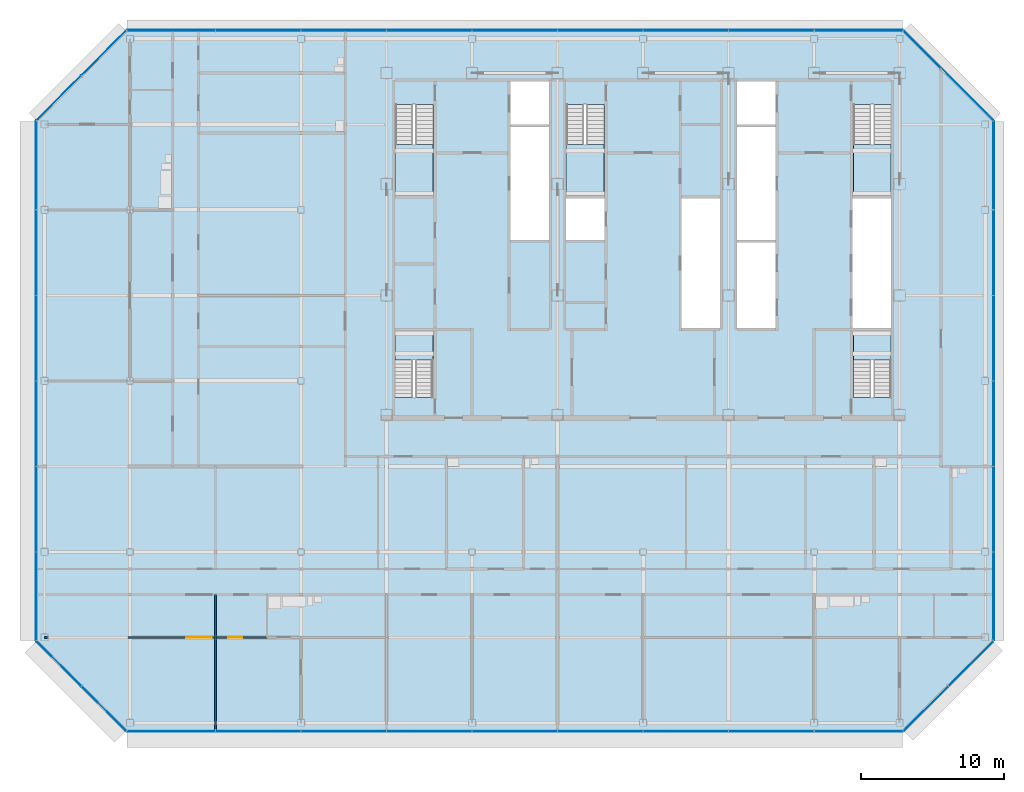
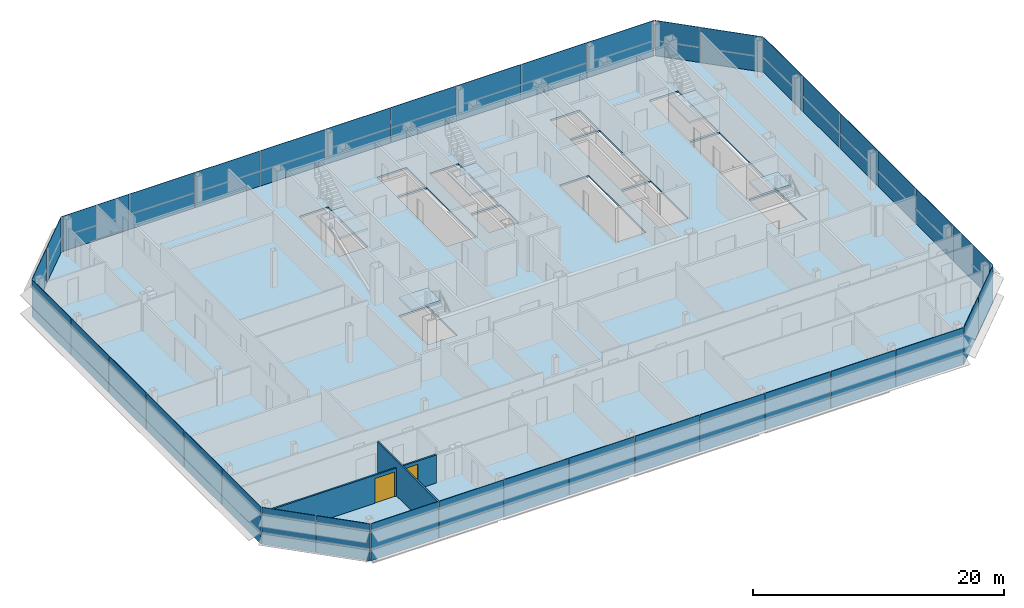
# One storey, part 20 of 27: 38 plates, 6 slabs, 2 doors, 2 walls, 2 openings, 13 elements without a shape of their own.
"""IFC4 building model written with IfcOpenShell, lengths in metres."""

from ifc_helpers import new_model, si_unit, direction, frame, frame_2d, origin, origin_2d, place, context, subcontext, project, spatial, polyline, rectangle, outline, extrude, material, layer, layer_set, type_object, element, fill, aggregate, save


model = new_model("IFC4")

# Units and contexts
model_context = context("Model", 3, precision=1e-05, world=origin(), true_north=direction((0.0, 1.0)))
body_context = subcontext(model_context, "Body", "Model", "MODEL_VIEW")
ifc_project = project(units=[si_unit("LENGTHUNIT", "METRE"), si_unit("AREAUNIT", "SQUARE_METRE"), si_unit("VOLUMEUNIT", "CUBIC_METRE"), si_unit("PLANEANGLEUNIT", "RADIAN"), si_unit("MASSUNIT", "GRAM", prefix="KILO")], contexts=[model_context])

# Site, building, storey
site_placement = place(None, origin())
site = spatial("IfcSite", under=ifc_project, at=site_placement, CompositionType="ELEMENT")
building_placement = place(site_placement, origin())
building = spatial("IfcBuilding", under=site, at=building_placement, Name="Sorahane Residences", CompositionType="ELEMENT")
storey_placement = place(building_placement, frame((0.0, 0.0, 312.39990234375)))
storey = spatial("IfcBuildingStorey", under=building, at=storey_placement, Name="L74", CompositionType="ELEMENT", Elevation=312.39990234375)

# Slab
ifc_material_1 = material(Name="Concrete C35", Category="concrete")
ifc_layer_1 = layer(ifc_material_1, 0.179931640625)
ifc_layer_set_1 = layer_set([ifc_layer_1], Name="Composite floor slab 180 mm Concrete C35")
slab_type_1 = type_object("IfcSlabType", Name="Composite floor slab 180 mm Concrete C35", PredefinedType="FLOOR", material=ifc_layer_set_1)
slab_1_placement = place(storey_placement, frame((0.0, 0.0, -0.179931640625)))
element("IfcSlab", 1, at=slab_1_placement, inside=storey, type_object=slab_type_1, Name="Slab L74", PredefinedType="FLOOR", context=body_context, shape_type="SweptSolid", body=[
    extrude(outline(polyline([(-12.24853515625, -0.60009765625), (-18.60009765625, 5.75146484375), (-18.60009765625, 42.24853515625), (-12.24853515625, 48.60009765625), (42.24853515625, 48.60009765625), (48.60009765625, 42.24853515625), (48.60009765625, 5.75146484375), (42.24853515625, -0.60009765625), (-12.24853515625, -0.60009765625)]), holes=[polyline([(38.699951171875, 27.699951171875), (41.39990234375, 27.699951171875), (41.39990234375, 36.800048828125), (38.699951171875, 36.800048828125), (38.699951171875, 27.699951171875)]), polyline([(30.60009765625, 27.699951171875), (33.300048828125, 27.699951171875), (33.300048828125, 33.699951171875), (30.60009765625, 33.699951171875), (30.60009765625, 27.699951171875)]), polyline([(30.60009765625, 42.0), (33.300048828125, 42.0), (33.300048828125, 45.0), (30.60009765625, 45.0), (30.60009765625, 42.0)]), polyline([(14.699951171875, 42.0), (17.39990234375, 42.0), (17.39990234375, 45.0), (14.699951171875, 45.0), (14.699951171875, 42.0)]), polyline([(6.60009765625, 43.39990234375), (6.60009765625, 37.0), (9.25, 37.0), (9.25, 43.39990234375), (6.60009765625, 43.39990234375)]), polyline([(38.75, 43.39990234375), (38.75, 37.0), (41.39990234375, 37.0), (41.39990234375, 43.39990234375), (38.75, 43.39990234375)]), polyline([(18.60009765625, 43.39990234375), (18.60009765625, 37.0), (21.25, 37.0), (21.25, 43.39990234375), (18.60009765625, 43.39990234375)]), polyline([(9.25, 22.85009765625), (9.25, 27.5), (6.60009765625, 27.5), (6.60009765625, 22.85009765625), (9.25, 22.85009765625)]), polyline([(41.39990234375, 22.85009765625), (41.39990234375, 27.5), (38.75, 27.5), (38.75, 22.85009765625), (41.39990234375, 22.85009765625)]), polyline([(14.699951171875, 33.89990234375), (17.39990234375, 33.89990234375), (17.39990234375, 41.800048828125), (14.699951171875, 41.800048828125), (14.699951171875, 33.89990234375)]), polyline([(30.60009765625, 33.89990234375), (33.300048828125, 33.89990234375), (33.300048828125, 41.800048828125), (30.60009765625, 41.800048828125), (30.60009765625, 33.89990234375)]), polyline([(18.60009765625, 33.89990234375), (21.300048828125, 33.89990234375), (21.300048828125, 36.800048828125), (18.60009765625, 36.800048828125), (18.60009765625, 33.89990234375)]), polyline([(26.699951171875, 27.699951171875), (29.39990234375, 27.699951171875), (29.39990234375, 36.800048828125), (26.699951171875, 36.800048828125), (26.699951171875, 27.699951171875)])]), origin(), (0.0, 0.0, 1.0), 0.179931640625),
])

# Curtain wall, plates
ifc_material_2 = material(Name="Dark low-e glass and black anodised aluminium", Category="aluminium")
curtain_wall_type_1 = type_object("IfcCurtainWallType", Name="Curtain wall CW-1 Typical unitised wall", PredefinedType="NOTDEFINED", material=ifc_material_2)
curtain_wall_1_placement = place(storey_placement, origin())
curtain_wall_1 = element("IfcCurtainWall", 2, at=curtain_wall_1_placement, inside=storey, type_object=curtain_wall_type_1, Name="CW-1 curtain wall L74 S1", PredefinedType="NOTDEFINED")
ifc_material_3 = material(Name="Dark low-e glass with black ceramic frit", Category="glass")
ifc_layer_2 = layer(ifc_material_3, 0.0400390625)
ifc_layer_set_2 = layer_set([ifc_layer_2], Name="Curtain wall glass panel dark low-e with black frit spandrel band")
plate_type = type_object("IfcPlateType", Name="Curtain wall glass panel dark low-e with black frit spandrel band", PredefinedType="CURTAIN_PANEL", material=ifc_layer_set_2)
plate_1_placement = place(storey_placement, frame((-9.11181640625, -0.60009765625, -0.179931640625), z_axis=(0.0, 0.0, 1.0), x_axis=(1.0, 0.0, 0.0)))
plate_1 = element("IfcPlate", 3, at=plate_1_placement, type_object=plate_type, Name="CW-1 glass panel L74 S1.1", PredefinedType="CURTAIN_PANEL", context=body_context, shape_type="SweptSolid", body=[
    extrude(rectangle(XDim=6.173583984375, YDim=0.0400390625, at=origin_2d()), origin(), (0.0, 0.0, 1.0), 3.60009765625),
])
plate_2_placement = place(storey_placement, frame((-3.0, -0.60009765625, -0.179931640625), z_axis=(0.0, 0.0, 1.0), x_axis=(1.0, 0.0, 0.0)))
plate_2 = element("IfcPlate", 4, at=plate_2_placement, type_object=plate_type, Name="CW-1 glass panel L74 S1.2", PredefinedType="CURTAIN_PANEL", context=body_context, shape_type="SweptSolid", body=[
    extrude(rectangle(XDim=5.949951171875, YDim=0.0400390625, at=origin_2d()), origin(), (0.0, 0.0, 1.0), 3.60009765625),
])
plate_3_placement = place(storey_placement, frame((3.0, -0.60009765625, -0.179931640625), z_axis=(0.0, 0.0, 1.0), x_axis=(1.0, 0.0, 0.0)))
plate_3 = element("IfcPlate", 5, at=plate_3_placement, type_object=plate_type, Name="CW-1 glass panel L74 S1.3", PredefinedType="CURTAIN_PANEL", context=body_context, shape_type="SweptSolid", body=[
    extrude(rectangle(XDim=5.949951171875, YDim=0.0400390625, at=origin_2d()), origin(), (0.0, 0.0, 1.0), 3.60009765625),
])
plate_4_placement = place(storey_placement, frame((9.0, -0.60009765625, -0.179931640625), z_axis=(0.0, 0.0, 1.0), x_axis=(1.0, 0.0, 0.0)))
plate_4 = element("IfcPlate", 6, at=plate_4_placement, type_object=plate_type, Name="CW-1 glass panel L74 S1.4", PredefinedType="CURTAIN_PANEL", context=body_context, shape_type="SweptSolid", body=[
    extrude(rectangle(XDim=5.949951171875, YDim=0.0400390625, at=origin_2d()), origin(), (0.0, 0.0, 1.0), 3.60009765625),
])
plate_5_placement = place(storey_placement, frame((15.0, -0.60009765625, -0.179931640625), z_axis=(0.0, 0.0, 1.0), x_axis=(1.0, 0.0, 0.0)))
plate_5 = element("IfcPlate", 7, at=plate_5_placement, type_object=plate_type, Name="CW-1 glass panel L74 S1.5", PredefinedType="CURTAIN_PANEL", context=body_context, shape_type="SweptSolid", body=[
    extrude(rectangle(XDim=5.949951171875, YDim=0.0400390625, at=origin_2d()), origin(), (0.0, 0.0, 1.0), 3.60009765625),
])
plate_6_placement = place(storey_placement, frame((21.0, -0.60009765625, -0.179931640625), z_axis=(0.0, 0.0, 1.0), x_axis=(1.0, 0.0, 0.0)))
plate_6 = element("IfcPlate", 8, at=plate_6_placement, type_object=plate_type, Name="CW-1 glass panel L74 S1.6", PredefinedType="CURTAIN_PANEL", context=body_context, shape_type="SweptSolid", body=[
    extrude(rectangle(XDim=5.949951171875, YDim=0.0400390625, at=origin_2d()), origin(), (0.0, 0.0, 1.0), 3.60009765625),
])
plate_7_placement = place(storey_placement, frame((27.0, -0.60009765625, -0.179931640625), z_axis=(0.0, 0.0, 1.0), x_axis=(1.0, 0.0, 0.0)))
plate_7 = element("IfcPlate", 9, at=plate_7_placement, type_object=plate_type, Name="CW-1 glass panel L74 S1.7", PredefinedType="CURTAIN_PANEL", context=body_context, shape_type="SweptSolid", body=[
    extrude(rectangle(XDim=5.949951171875, YDim=0.0400390625, at=origin_2d()), origin(), (0.0, 0.0, 1.0), 3.60009765625),
])
plate_8_placement = place(storey_placement, frame((33.0, -0.60009765625, -0.179931640625), z_axis=(0.0, 0.0, 1.0), x_axis=(1.0, 0.0, 0.0)))
plate_8 = element("IfcPlate", 10, at=plate_8_placement, type_object=plate_type, Name="CW-1 glass panel L74 S1.8", PredefinedType="CURTAIN_PANEL", context=body_context, shape_type="SweptSolid", body=[
    extrude(rectangle(XDim=5.949951171875, YDim=0.0400390625, at=origin_2d()), origin(), (0.0, 0.0, 1.0), 3.60009765625),
])
plate_9_placement = place(storey_placement, frame((39.11181640625, -0.60009765625, -0.179931640625), z_axis=(0.0, 0.0, 1.0), x_axis=(1.0, 0.0, 0.0)))
plate_9 = element("IfcPlate", 11, at=plate_9_placement, type_object=plate_type, Name="CW-1 glass panel L74 S1.9", PredefinedType="CURTAIN_PANEL", context=body_context, shape_type="SweptSolid", body=[
    extrude(rectangle(XDim=6.173583984375, YDim=0.0400390625, at=origin_2d()), origin(), (0.0, 0.0, 1.0), 3.60009765625),
])
aggregate(curtain_wall_1, [plate_1, plate_2, plate_3, plate_4, plate_5, plate_6, plate_7, plate_8, plate_9])

ifc_material_4 = material(Name="Dark low-e glass and black anodised aluminium", Category="aluminium")
curtain_wall_type_2 = type_object("IfcCurtainWallType", Name="Curtain wall CW-2 Chamfer unitised wall", PredefinedType="NOTDEFINED", material=ifc_material_4)
curtain_wall_2_placement = place(storey_placement, origin())
curtain_wall_2 = element("IfcCurtainWall", 12, at=curtain_wall_2_placement, inside=storey, type_object=curtain_wall_type_2, Name="CW-2 curtain wall L74 SE1", PredefinedType="NOTDEFINED")
plate_10_placement = place(storey_placement, frame((43.84521484375, 0.996826171875, -0.179931640625), z_axis=(0.0, 0.0, 1.0), x_axis=(0.707106781187, 0.707106781187, 0.0)))
plate_10 = element("IfcPlate", 13, at=plate_10_placement, type_object=plate_type, Name="CW-2 glass panel L74 SE1.1", PredefinedType="CURTAIN_PANEL", context=body_context, shape_type="SweptSolid", body=[
    extrude(rectangle(XDim=4.416259765625, YDim=0.0400390625, at=origin_2d()), origin(), (0.0, 0.0, 1.0), 3.60009765625),
])
plate_11_placement = place(storey_placement, frame((47.003173828125, 4.15478515625, -0.179931640625), z_axis=(0.0, 0.0, 1.0), x_axis=(0.707106781187, 0.707106781187, 0.0)))
plate_11 = element("IfcPlate", 14, at=plate_11_placement, type_object=plate_type, Name="CW-2 glass panel L74 SE1.2", PredefinedType="CURTAIN_PANEL", context=body_context, shape_type="SweptSolid", body=[
    extrude(rectangle(XDim=4.416259765625, YDim=0.0400390625, at=origin_2d()), origin(), (0.0, 0.0, 1.0), 3.60009765625),
])
aggregate(curtain_wall_2, [plate_10, plate_11])

curtain_wall_3_placement = place(storey_placement, origin())
curtain_wall_3 = element("IfcCurtainWall", 15, at=curtain_wall_3_placement, inside=storey, type_object=curtain_wall_type_1, Name="CW-1 curtain wall L74 E1", PredefinedType="NOTDEFINED")
plate_12_placement = place(storey_placement, frame((48.60009765625, 8.88818359375, -0.179931640625), z_axis=(0.0, 0.0, 1.0), x_axis=(0.0, 1.0, 0.0)))
plate_12 = element("IfcPlate", 16, at=plate_12_placement, type_object=plate_type, Name="CW-1 glass panel L74 E1.1", PredefinedType="CURTAIN_PANEL", context=body_context, shape_type="SweptSolid", body=[
    extrude(rectangle(XDim=6.173583984375, YDim=0.0400390625, at=origin_2d()), origin(), (0.0, 0.0, 1.0), 3.60009765625),
])
plate_13_placement = place(storey_placement, frame((48.60009765625, 15.0, -0.179931640625), z_axis=(0.0, 0.0, 1.0), x_axis=(0.0, 1.0, 0.0)))
plate_13 = element("IfcPlate", 17, at=plate_13_placement, type_object=plate_type, Name="CW-1 glass panel L74 E1.2", PredefinedType="CURTAIN_PANEL", context=body_context, shape_type="SweptSolid", body=[
    extrude(rectangle(XDim=5.949951171875, YDim=0.0400390625, at=origin_2d()), origin(), (0.0, 0.0, 1.0), 3.60009765625),
])
plate_14_placement = place(storey_placement, frame((48.60009765625, 21.0, -0.179931640625), z_axis=(0.0, 0.0, 1.0), x_axis=(0.0, 1.0, 0.0)))
plate_14 = element("IfcPlate", 18, at=plate_14_placement, type_object=plate_type, Name="CW-1 glass panel L74 E1.3", PredefinedType="CURTAIN_PANEL", context=body_context, shape_type="SweptSolid", body=[
    extrude(rectangle(XDim=5.949951171875, YDim=0.0400390625, at=origin_2d()), origin(), (0.0, 0.0, 1.0), 3.60009765625),
])
plate_15_placement = place(storey_placement, frame((48.60009765625, 27.0, -0.179931640625), z_axis=(0.0, 0.0, 1.0), x_axis=(0.0, 1.0, 0.0)))
plate_15 = element("IfcPlate", 19, at=plate_15_placement, type_object=plate_type, Name="CW-1 glass panel L74 E1.4", PredefinedType="CURTAIN_PANEL", context=body_context, shape_type="SweptSolid", body=[
    extrude(rectangle(XDim=5.949951171875, YDim=0.0400390625, at=origin_2d()), origin(), (0.0, 0.0, 1.0), 3.60009765625),
])
plate_16_placement = place(storey_placement, frame((48.60009765625, 33.0, -0.179931640625), z_axis=(0.0, 0.0, 1.0), x_axis=(0.0, 1.0, 0.0)))
plate_16 = element("IfcPlate", 20, at=plate_16_placement, type_object=plate_type, Name="CW-1 glass panel L74 E1.5", PredefinedType="CURTAIN_PANEL", context=body_context, shape_type="SweptSolid", body=[
    extrude(rectangle(XDim=5.949951171875, YDim=0.0400390625, at=origin_2d()), origin(), (0.0, 0.0, 1.0), 3.60009765625),
])
plate_17_placement = place(storey_placement, frame((48.60009765625, 39.11181640625, -0.179931640625), z_axis=(0.0, 0.0, 1.0), x_axis=(0.0, 1.0, 0.0)))
plate_17 = element("IfcPlate", 21, at=plate_17_placement, type_object=plate_type, Name="CW-1 glass panel L74 E1.6", PredefinedType="CURTAIN_PANEL", context=body_context, shape_type="SweptSolid", body=[
    extrude(rectangle(XDim=6.173583984375, YDim=0.0400390625, at=origin_2d()), origin(), (0.0, 0.0, 1.0), 3.60009765625),
])
aggregate(curtain_wall_3, [plate_12, plate_13, plate_14, plate_15, plate_16, plate_17])

curtain_wall_4_placement = place(storey_placement, origin())
curtain_wall_4 = element("IfcCurtainWall", 22, at=curtain_wall_4_placement, inside=storey, type_object=curtain_wall_type_2, Name="CW-2 curtain wall L74 NE1", PredefinedType="NOTDEFINED")
plate_18_placement = place(storey_placement, frame((46.740966796875, 44.107421875, -0.179931640625), z_axis=(0.0, 0.0, 1.0), x_axis=(-0.707106781187, 0.707106781187, 0.0)))
plate_18 = element("IfcPlate", 23, at=plate_18_placement, type_object=plate_type, Name="CW-2 glass panel L74 NE1.1", PredefinedType="CURTAIN_PANEL", context=body_context, shape_type="SweptSolid", body=[
    extrude(rectangle(XDim=5.157958984375, YDim=0.0400390625, at=origin_2d()), origin(), (0.0, 0.0, 1.0), 3.60009765625),
])
plate_19_placement = place(storey_placement, frame((43.5830078125, 47.265625, -0.179931640625), z_axis=(0.0, 0.0, 1.0), x_axis=(-0.707106781187, 0.707106781187, 0.0)))
plate_19 = element("IfcPlate", 24, at=plate_19_placement, type_object=plate_type, Name="CW-2 glass panel L74 NE1.2", PredefinedType="CURTAIN_PANEL", context=body_context, shape_type="SweptSolid", body=[
    extrude(rectangle(XDim=3.67431640625, YDim=0.0400390625, at=origin_2d()), origin(), (0.0, 0.0, 1.0), 3.60009765625),
])
aggregate(curtain_wall_4, [plate_18, plate_19])

curtain_wall_5_placement = place(storey_placement, origin())
curtain_wall_5 = element("IfcCurtainWall", 25, at=curtain_wall_5_placement, inside=storey, type_object=curtain_wall_type_1, Name="CW-1 curtain wall L74 N1", PredefinedType="NOTDEFINED")
plate_20_placement = place(storey_placement, frame((39.11181640625, 48.60009765625, -0.179931640625), z_axis=(0.0, 0.0, 1.0), x_axis=(-1.0, 0.0, 0.0)))
plate_20 = element("IfcPlate", 26, at=plate_20_placement, type_object=plate_type, Name="CW-1 glass panel L74 N1.1", PredefinedType="CURTAIN_PANEL", context=body_context, shape_type="SweptSolid", body=[
    extrude(rectangle(XDim=6.173583984375, YDim=0.0400390625, at=origin_2d()), origin(), (0.0, 0.0, 1.0), 3.60009765625),
])
plate_21_placement = place(storey_placement, frame((33.0, 48.60009765625, -0.179931640625), z_axis=(0.0, 0.0, 1.0), x_axis=(-1.0, 0.0, 0.0)))
plate_21 = element("IfcPlate", 27, at=plate_21_placement, type_object=plate_type, Name="CW-1 glass panel L74 N1.2", PredefinedType="CURTAIN_PANEL", context=body_context, shape_type="SweptSolid", body=[
    extrude(rectangle(XDim=5.949951171875, YDim=0.0400390625, at=origin_2d()), origin(), (0.0, 0.0, 1.0), 3.60009765625),
])
plate_22_placement = place(storey_placement, frame((27.0, 48.60009765625, -0.179931640625), z_axis=(0.0, 0.0, 1.0), x_axis=(-1.0, 0.0, 0.0)))
plate_22 = element("IfcPlate", 28, at=plate_22_placement, type_object=plate_type, Name="CW-1 glass panel L74 N1.3", PredefinedType="CURTAIN_PANEL", context=body_context, shape_type="SweptSolid", body=[
    extrude(rectangle(XDim=5.949951171875, YDim=0.0400390625, at=origin_2d()), origin(), (0.0, 0.0, 1.0), 3.60009765625),
])
plate_23_placement = place(storey_placement, frame((21.0, 48.60009765625, -0.179931640625), z_axis=(0.0, 0.0, 1.0), x_axis=(-1.0, 0.0, 0.0)))
plate_23 = element("IfcPlate", 29, at=plate_23_placement, type_object=plate_type, Name="CW-1 glass panel L74 N1.4", PredefinedType="CURTAIN_PANEL", context=body_context, shape_type="SweptSolid", body=[
    extrude(rectangle(XDim=5.949951171875, YDim=0.0400390625, at=origin_2d()), origin(), (0.0, 0.0, 1.0), 3.60009765625),
])
plate_24_placement = place(storey_placement, frame((15.0, 48.60009765625, -0.179931640625), z_axis=(0.0, 0.0, 1.0), x_axis=(-1.0, 0.0, 0.0)))
plate_24 = element("IfcPlate", 30, at=plate_24_placement, type_object=plate_type, Name="CW-1 glass panel L74 N1.5", PredefinedType="CURTAIN_PANEL", context=body_context, shape_type="SweptSolid", body=[
    extrude(rectangle(XDim=5.949951171875, YDim=0.0400390625, at=origin_2d()), origin(), (0.0, 0.0, 1.0), 3.60009765625),
])
plate_25_placement = place(storey_placement, frame((9.0, 48.60009765625, -0.179931640625), z_axis=(0.0, 0.0, 1.0), x_axis=(-1.0, 0.0, 0.0)))
plate_25 = element("IfcPlate", 31, at=plate_25_placement, type_object=plate_type, Name="CW-1 glass panel L74 N1.6", PredefinedType="CURTAIN_PANEL", context=body_context, shape_type="SweptSolid", body=[
    extrude(rectangle(XDim=5.949951171875, YDim=0.0400390625, at=origin_2d()), origin(), (0.0, 0.0, 1.0), 3.60009765625),
])
plate_26_placement = place(storey_placement, frame((3.0, 48.60009765625, -0.179931640625), z_axis=(0.0, 0.0, 1.0), x_axis=(-1.0, 0.0, 0.0)))
plate_26 = element("IfcPlate", 32, at=plate_26_placement, type_object=plate_type, Name="CW-1 glass panel L74 N1.7", PredefinedType="CURTAIN_PANEL", context=body_context, shape_type="SweptSolid", body=[
    extrude(rectangle(XDim=5.949951171875, YDim=0.0400390625, at=origin_2d()), origin(), (0.0, 0.0, 1.0), 3.60009765625),
])
plate_27_placement = place(storey_placement, frame((-3.0, 48.60009765625, -0.179931640625), z_axis=(0.0, 0.0, 1.0), x_axis=(-1.0, 0.0, 0.0)))
plate_27 = element("IfcPlate", 33, at=plate_27_placement, type_object=plate_type, Name="CW-1 glass panel L74 N1.8", PredefinedType="CURTAIN_PANEL", context=body_context, shape_type="SweptSolid", body=[
    extrude(rectangle(XDim=5.949951171875, YDim=0.0400390625, at=origin_2d()), origin(), (0.0, 0.0, 1.0), 3.60009765625),
])
plate_28_placement = place(storey_placement, frame((-9.11181640625, 48.60009765625, -0.179931640625), z_axis=(0.0, 0.0, 1.0), x_axis=(-1.0, 0.0, 0.0)))
plate_28 = element("IfcPlate", 34, at=plate_28_placement, type_object=plate_type, Name="CW-1 glass panel L74 N1.9", PredefinedType="CURTAIN_PANEL", context=body_context, shape_type="SweptSolid", body=[
    extrude(rectangle(XDim=6.173583984375, YDim=0.0400390625, at=origin_2d()), origin(), (0.0, 0.0, 1.0), 3.60009765625),
])
aggregate(curtain_wall_5, [plate_20, plate_21, plate_22, plate_23, plate_24, plate_25, plate_26, plate_27, plate_28])

curtain_wall_6_placement = place(storey_placement, origin())
curtain_wall_6 = element("IfcCurtainWall", 35, at=curtain_wall_6_placement, inside=storey, type_object=curtain_wall_type_2, Name="CW-2 curtain wall L74 NW1", PredefinedType="NOTDEFINED")
plate_29_placement = place(storey_placement, frame((-13.84521484375, 47.003173828125, -0.179931640625), z_axis=(0.0, 0.0, 1.0), x_axis=(-0.707106781187, -0.707106781187, 0.0)))
plate_29 = element("IfcPlate", 36, at=plate_29_placement, type_object=plate_type, Name="CW-2 glass panel L74 NW1.1", PredefinedType="CURTAIN_PANEL", context=body_context, shape_type="SweptSolid", body=[
    extrude(rectangle(XDim=4.416259765625, YDim=0.0400390625, at=origin_2d()), origin(), (0.0, 0.0, 1.0), 3.60009765625),
])
plate_30_placement = place(storey_placement, frame((-17.003173828125, 43.84521484375, -0.179931640625), z_axis=(0.0, 0.0, 1.0), x_axis=(-0.707106781187, -0.707106781187, 0.0)))
plate_30 = element("IfcPlate", 37, at=plate_30_placement, type_object=plate_type, Name="CW-2 glass panel L74 NW1.2", PredefinedType="CURTAIN_PANEL", context=body_context, shape_type="SweptSolid", body=[
    extrude(rectangle(XDim=4.416259765625, YDim=0.0400390625, at=origin_2d()), origin(), (0.0, 0.0, 1.0), 3.60009765625),
])
aggregate(curtain_wall_6, [plate_29, plate_30])

curtain_wall_7_placement = place(storey_placement, origin())
curtain_wall_7 = element("IfcCurtainWall", 38, at=curtain_wall_7_placement, inside=storey, type_object=curtain_wall_type_1, Name="CW-1 curtain wall L74 W1", PredefinedType="NOTDEFINED")
plate_31_placement = place(storey_placement, frame((-18.60009765625, 39.11181640625, -0.179931640625), z_axis=(0.0, 0.0, 1.0), x_axis=(0.0, -1.0, 0.0)))
plate_31 = element("IfcPlate", 39, at=plate_31_placement, type_object=plate_type, Name="CW-1 glass panel L74 W1.1", PredefinedType="CURTAIN_PANEL", context=body_context, shape_type="SweptSolid", body=[
    extrude(rectangle(XDim=6.173583984375, YDim=0.0400390625, at=origin_2d()), origin(), (0.0, 0.0, 1.0), 3.60009765625),
])
plate_32_placement = place(storey_placement, frame((-18.60009765625, 33.0, -0.179931640625), z_axis=(0.0, 0.0, 1.0), x_axis=(0.0, -1.0, 0.0)))
plate_32 = element("IfcPlate", 40, at=plate_32_placement, type_object=plate_type, Name="CW-1 glass panel L74 W1.2", PredefinedType="CURTAIN_PANEL", context=body_context, shape_type="SweptSolid", body=[
    extrude(rectangle(XDim=5.949951171875, YDim=0.0400390625, at=origin_2d()), origin(), (0.0, 0.0, 1.0), 3.60009765625),
])
plate_33_placement = place(storey_placement, frame((-18.60009765625, 27.0, -0.179931640625), z_axis=(0.0, 0.0, 1.0), x_axis=(0.0, -1.0, 0.0)))
plate_33 = element("IfcPlate", 41, at=plate_33_placement, type_object=plate_type, Name="CW-1 glass panel L74 W1.3", PredefinedType="CURTAIN_PANEL", context=body_context, shape_type="SweptSolid", body=[
    extrude(rectangle(XDim=5.949951171875, YDim=0.0400390625, at=origin_2d()), origin(), (0.0, 0.0, 1.0), 3.60009765625),
])
plate_34_placement = place(storey_placement, frame((-18.60009765625, 21.0, -0.179931640625), z_axis=(0.0, 0.0, 1.0), x_axis=(0.0, -1.0, 0.0)))
plate_34 = element("IfcPlate", 42, at=plate_34_placement, type_object=plate_type, Name="CW-1 glass panel L74 W1.4", PredefinedType="CURTAIN_PANEL", context=body_context, shape_type="SweptSolid", body=[
    extrude(rectangle(XDim=5.949951171875, YDim=0.0400390625, at=origin_2d()), origin(), (0.0, 0.0, 1.0), 3.60009765625),
])
plate_35_placement = place(storey_placement, frame((-18.60009765625, 15.0, -0.179931640625), z_axis=(0.0, 0.0, 1.0), x_axis=(0.0, -1.0, 0.0)))
plate_35 = element("IfcPlate", 43, at=plate_35_placement, type_object=plate_type, Name="CW-1 glass panel L74 W1.5", PredefinedType="CURTAIN_PANEL", context=body_context, shape_type="SweptSolid", body=[
    extrude(rectangle(XDim=5.949951171875, YDim=0.0400390625, at=origin_2d()), origin(), (0.0, 0.0, 1.0), 3.60009765625),
])
plate_36_placement = place(storey_placement, frame((-18.60009765625, 8.88818359375, -0.179931640625), z_axis=(0.0, 0.0, 1.0), x_axis=(0.0, -1.0, 0.0)))
plate_36 = element("IfcPlate", 44, at=plate_36_placement, type_object=plate_type, Name="CW-1 glass panel L74 W1.6", PredefinedType="CURTAIN_PANEL", context=body_context, shape_type="SweptSolid", body=[
    extrude(rectangle(XDim=6.173583984375, YDim=0.0400390625, at=origin_2d()), origin(), (0.0, 0.0, 1.0), 3.60009765625),
])
aggregate(curtain_wall_7, [plate_31, plate_32, plate_33, plate_34, plate_35, plate_36])

curtain_wall_8_placement = place(storey_placement, origin())
curtain_wall_8 = element("IfcCurtainWall", 45, at=curtain_wall_8_placement, inside=storey, type_object=curtain_wall_type_2, Name="CW-2 curtain wall L74 SW1", PredefinedType="NOTDEFINED")
plate_37_placement = place(storey_placement, frame((-17.003173828125, 4.15478515625, -0.179931640625), z_axis=(0.0, 0.0, 1.0), x_axis=(0.707106781187, -0.707106781187, 0.0)))
plate_37 = element("IfcPlate", 46, at=plate_37_placement, type_object=plate_type, Name="CW-2 glass panel L74 SW1.1", PredefinedType="CURTAIN_PANEL", context=body_context, shape_type="SweptSolid", body=[
    extrude(rectangle(XDim=4.416259765625, YDim=0.0400390625, at=origin_2d()), origin(), (0.0, 0.0, 1.0), 3.60009765625),
])
plate_38_placement = place(storey_placement, frame((-13.84521484375, 0.996826171875, -0.179931640625), z_axis=(0.0, 0.0, 1.0), x_axis=(0.707106781187, -0.707106781187, 0.0)))
plate_38 = element("IfcPlate", 47, at=plate_38_placement, type_object=plate_type, Name="CW-2 glass panel L74 SW1.2", PredefinedType="CURTAIN_PANEL", context=body_context, shape_type="SweptSolid", body=[
    extrude(rectangle(XDim=4.416259765625, YDim=0.0400390625, at=origin_2d()), origin(), (0.0, 0.0, 1.0), 3.60009765625),
])
aggregate(curtain_wall_8, [plate_37, plate_38])

# Stair, slab
ifc_material_5 = material(Name="Concrete C40", Category="concrete")
stair_type = type_object("IfcStairType", Name="Dog-leg stair 1250 Concrete C40", PredefinedType="HALF_TURN_STAIR", material=ifc_material_5)
stair_1_placement = place(storey_placement, origin())
stair_1 = element("IfcStair", 48, at=stair_1_placement, inside=storey, type_object=stair_type, Name="L74 Stair S1", PredefinedType="HALF_TURN_STAIR")
ifc_material_6 = material(Name="Concrete C40", Category="concrete")
ifc_layer_3 = layer(ifc_material_6, 0.199951171875)
ifc_layer_set_3 = layer_set([ifc_layer_3], Name="Stair landing 200 Concrete C40")
slab_type_2 = type_object("IfcSlabType", Name="Stair landing 200 Concrete C40", PredefinedType="LANDING", material=ifc_layer_set_3)
slab_2_placement = place(storey_placement, frame((0.0, 0.0, 1.60009765625)))
slab_2 = element("IfcSlab", 49, at=slab_2_placement, type_object=slab_type_2, Name="S1 landing 1", PredefinedType="LANDING", context=body_context, shape_type="SweptSolid", body=[
    extrude(outline(polyline([(6.60009765625, 40.60009765625), (6.60009765625, 37.0), (9.25, 37.0), (9.25, 40.60009765625), (6.60009765625, 40.60009765625)])), origin(), (0.0, 0.0, 1.0), 0.199951171875),
])
aggregate(stair_1, [slab_2])

stair_2_placement = place(storey_placement, origin())
stair_2 = element("IfcStair", 50, at=stair_2_placement, inside=storey, type_object=stair_type, Name="L74 Stair S2", PredefinedType="HALF_TURN_STAIR")
slab_3_placement = place(storey_placement, frame((0.0, 0.0, 1.60009765625)))
slab_3 = element("IfcSlab", 51, at=slab_3_placement, type_object=slab_type_2, Name="S2 landing 1", PredefinedType="LANDING", context=body_context, shape_type="SweptSolid", body=[
    extrude(outline(polyline([(38.75, 40.60009765625), (38.75, 37.0), (41.39990234375, 37.0), (41.39990234375, 40.60009765625), (38.75, 40.60009765625)])), origin(), (0.0, 0.0, 1.0), 0.199951171875),
])
aggregate(stair_2, [slab_3])

stair_3_placement = place(storey_placement, origin())
stair_3 = element("IfcStair", 52, at=stair_3_placement, inside=storey, type_object=stair_type, Name="L74 Stair S3", PredefinedType="HALF_TURN_STAIR")
slab_4_placement = place(storey_placement, frame((0.0, 0.0, 1.60009765625)))
slab_4 = element("IfcSlab", 53, at=slab_4_placement, type_object=slab_type_2, Name="S3 landing 1", PredefinedType="LANDING", context=body_context, shape_type="SweptSolid", body=[
    extrude(outline(polyline([(18.60009765625, 40.60009765625), (18.60009765625, 37.0), (21.25, 37.0), (21.25, 40.60009765625), (18.60009765625, 40.60009765625)])), origin(), (0.0, 0.0, 1.0), 0.199951171875),
])
aggregate(stair_3, [slab_4])

stair_4_placement = place(storey_placement, origin())
stair_4 = element("IfcStair", 54, at=stair_4_placement, inside=storey, type_object=stair_type, Name="L74 Stair S4", PredefinedType="HALF_TURN_STAIR")
slab_5_placement = place(storey_placement, frame((0.0, 0.0, 1.60009765625)))
slab_5 = element("IfcSlab", 55, at=slab_5_placement, type_object=slab_type_2, Name="S4 landing 1", PredefinedType="LANDING", context=body_context, shape_type="SweptSolid", body=[
    extrude(outline(polyline([(9.25, 25.449951171875), (9.25, 27.5), (6.60009765625, 27.5), (6.60009765625, 25.449951171875), (9.25, 25.449951171875)])), origin(), (0.0, 0.0, 1.0), 0.199951171875),
])
aggregate(stair_4, [slab_5])

stair_5_placement = place(storey_placement, origin())
stair_5 = element("IfcStair", 56, at=stair_5_placement, inside=storey, type_object=stair_type, Name="L74 Stair S5", PredefinedType="HALF_TURN_STAIR")
slab_6_placement = place(storey_placement, frame((0.0, 0.0, 1.60009765625)))
slab_6 = element("IfcSlab", 57, at=slab_6_placement, type_object=slab_type_2, Name="S5 landing 1", PredefinedType="LANDING", context=body_context, shape_type="SweptSolid", body=[
    extrude(outline(polyline([(41.39990234375, 25.449951171875), (41.39990234375, 27.5), (38.75, 27.5), (38.75, 25.449951171875), (41.39990234375, 25.449951171875)])), origin(), (0.0, 0.0, 1.0), 0.199951171875),
])
aggregate(stair_5, [slab_6])

# Wall
ifc_material_7 = material(Name="Gypsum board partition on steel studs", Category="steel")
ifc_layer_4 = layer(ifc_material_7, 0.14990234375)
ifc_layer_set_4 = layer_set([ifc_layer_4], Name="Partition 150 EI 90")
wall_type = type_object("IfcWallType", Name="Partition 150 EI 90", PredefinedType="PARTITIONING", material=ifc_layer_set_4)
wall_1_placement = place(storey_placement, frame((-6.0, -0.60009765625, 0.0), z_axis=(0.0, 0.0, 1.0), x_axis=(0.0, 1.0, 0.0)))
element("IfcWall", 58, at=wall_1_placement, inside=storey, type_object=wall_type, Name="L74 partition", PredefinedType="PARTITIONING", context=body_context, shape_type="SweptSolid", body=[
    extrude(rectangle(XDim=9.60009765625, YDim=0.14990234375, at=frame_2d((4.800048828125, 0.0))), origin(), (0.0, 0.0, 1.0), 3.420166015625),
])

# Wall, openings, doors
wall_2_placement = place(storey_placement, frame((-18.0, 6.0, 0.0), z_axis=(0.0, 0.0, 1.0), x_axis=(1.0, 0.0, 0.0)))
wall_2 = element("IfcWall", 59, at=wall_2_placement, inside=storey, type_object=wall_type, Name="L74 partition", PredefinedType="PARTITIONING", context=body_context, shape_type="SweptSolid", body=[
    extrude(rectangle(XDim=15.60009765625, YDim=0.14990234375, at=frame_2d((7.800048828125, 0.0))), origin(), (0.0, 0.0, 1.0), 2.72021484375),
])
opening_1_placement = place(wall_2_placement, frame((9.949951171875, 0.0, 0.0)))
opening_1 = element("IfcOpeningElement", 60, at=opening_1_placement, cuts=wall_2, Name="Opening L74-10", PredefinedType="OPENING", context=body_context, shape_type="SweptSolid", body=[
    extrude(rectangle(XDim=1.800048828125, YDim=2.39990234375, at=frame_2d((0.89990234375, 1.199951171875))), frame((0.0, 0.0849609375, 0.0), z_axis=(0.0, -1.0, 0.0), x_axis=(1.0, 0.0, 0.0)), (0.0, 0.0, 1.0), 0.169921875),
])
opening_2_placement = place(wall_2_placement, frame((12.8798828125, 0.0, 0.0)))
opening_2 = element("IfcOpeningElement", 61, at=opening_2_placement, cuts=wall_2, Name="Opening L74-11", PredefinedType="OPENING", context=body_context, shape_type="SweptSolid", body=[
    extrude(rectangle(XDim=1.0, YDim=2.39990234375, at=frame_2d((0.5, 1.199951171875))), frame((0.0, 0.0849609375, 0.0), z_axis=(0.0, -1.0, 0.0), x_axis=(1.0, 0.0, 0.0)), (0.0, 0.0, 1.0), 0.169921875),
])
ifc_material_8 = material(Name="Timber veneered fire door", Category="wood")
door_type_1 = type_object("IfcDoorType", Name="Double door 1800x2400 FD30", OperationType="NOTDEFINED", PredefinedType="DOOR", material=ifc_material_8)
door_1_placement = place(opening_1_placement, frame((1.800048828125, 0.0, 0.0), z_axis=(0.0, 0.0, 1.0), x_axis=(-1.0, 0.0, 0.0)))
door_1 = element("IfcDoor", 62, at=door_1_placement, inside=storey, type_object=door_type_1, Name="Double door L74-10", OperationType="SINGLE_SWING_LEFT", OverallHeight=2.39990234375, OverallWidth=1.800048828125, PredefinedType="DOOR", context=body_context, shape_type="SweptSolid", body=[
    extrude(rectangle(XDim=1.800048828125, YDim=2.39990234375, at=frame_2d((0.89990234375, 1.199951171875))), frame((0.0, 0.02490234375, 0.0), z_axis=(0.0, -1.0, 0.0), x_axis=(1.0, 0.0, 0.0)), (0.0, 0.0, 1.0), 0.050048828125),
])
fill(opening_1, door_1)
ifc_material_9 = material(Name="Timber veneered fire door", Category="wood")
door_type_2 = type_object("IfcDoorType", Name="Room door 1000x2400 FD30", OperationType="NOTDEFINED", PredefinedType="DOOR", material=ifc_material_9)
door_2_placement = place(opening_2_placement, frame((1.0, 0.0, 0.0), z_axis=(0.0, 0.0, 1.0), x_axis=(-1.0, 0.0, 0.0)))
door_2 = element("IfcDoor", 63, at=door_2_placement, inside=storey, type_object=door_type_2, Name="Room door L74-11", OperationType="SINGLE_SWING_LEFT", OverallHeight=2.39990234375, OverallWidth=1.0, PredefinedType="DOOR", context=body_context, shape_type="SweptSolid", body=[
    extrude(rectangle(XDim=1.0, YDim=2.39990234375, at=frame_2d((0.5, 1.199951171875))), frame((0.0, 0.02490234375, 0.0), z_axis=(0.0, -1.0, 0.0), x_axis=(1.0, 0.0, 0.0)), (0.0, 0.0, 1.0), 0.050048828125),
])
fill(opening_2, door_2)

save(model, "model.ifc")
